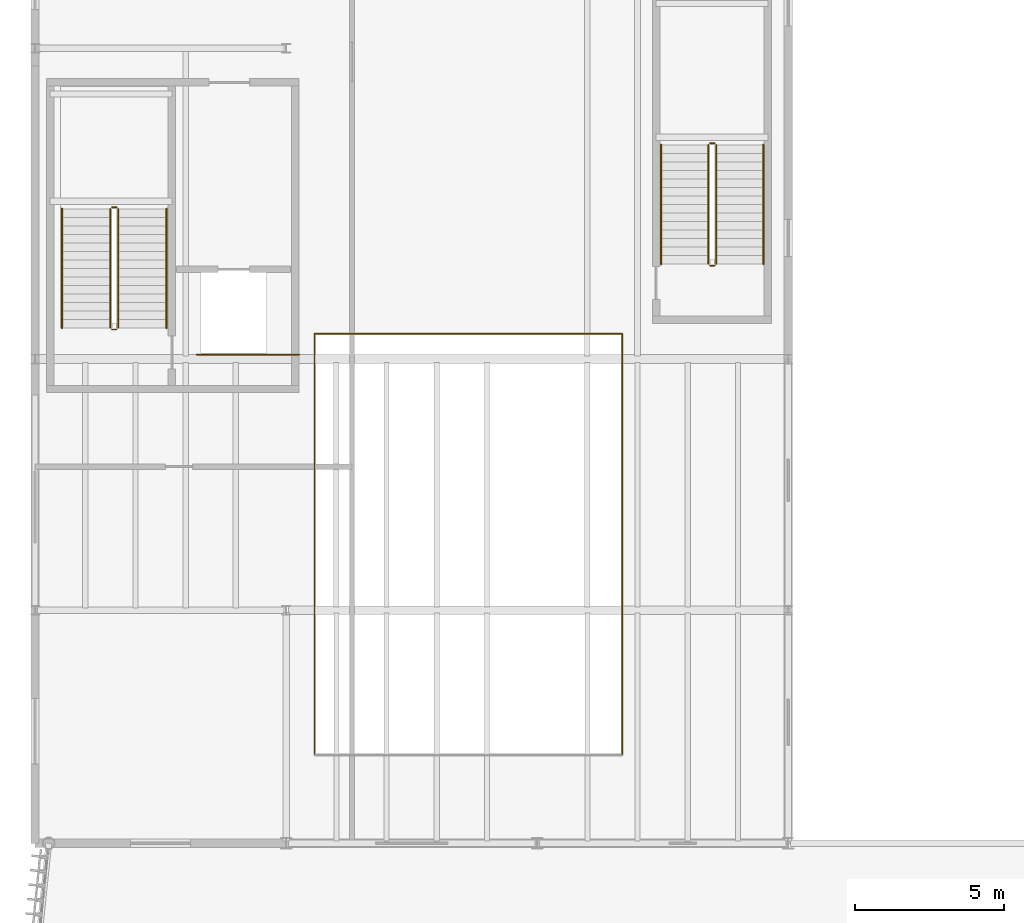
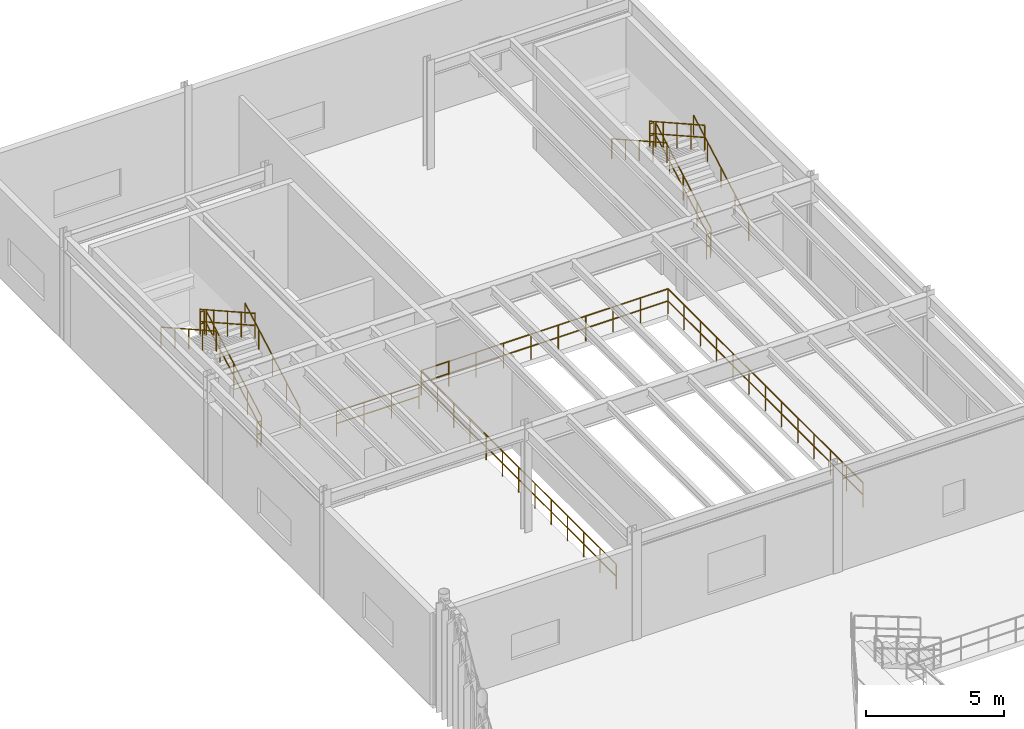
# One storey, part 103 of 105: 16 railings.
"""IFC4 building model written with IfcOpenShell, lengths in metres."""

from ifc_helpers import new_model, si_unit, direction, frame, origin, origin_2d, place, context, subcontext, project, spatial, circle, extrude, material, layer, layer_set, type_object, element, save


model = new_model("IFC4")

# Units and contexts
model_context = context("Model", 3, precision=1e-05, world=origin(), true_north=direction((0.0, 1.0)))
body_context = subcontext(model_context, "Body", "Model", "MODEL_VIEW")
ifc_project = project(units=[si_unit("LENGTHUNIT", "METRE"), si_unit("AREAUNIT", "SQUARE_METRE"), si_unit("VOLUMEUNIT", "CUBIC_METRE"), si_unit("PLANEANGLEUNIT", "RADIAN"), si_unit("MASSUNIT", "GRAM", prefix="KILO")], contexts=[model_context])

# Site, building, storey
site_placement = place(None, origin())
site = spatial("IfcSite", under=ifc_project, at=site_placement, CompositionType="ELEMENT")
building_placement = place(site_placement, origin())
building = spatial("IfcBuilding", under=site, at=building_placement, Name="Selat Folded Stagehouse", CompositionType="ELEMENT")
storey_placement = place(building_placement, frame((0.0, 0.0, 10.199951171875)))
storey = spatial("IfcBuildingStorey", under=building, at=storey_placement, Name="L02", CompositionType="ELEMENT", Elevation=10.199951171875)

# Railings
ifc_material_1 = material(Name="Bronze-anodised steel balustrade", Category="steel")
ifc_layer_1 = layer(ifc_material_1, 0.06494140625)
ifc_layer_set_1 = layer_set([ifc_layer_1], Name="Bronze-anodised steel balustrade")
railing_type_1 = type_object("IfcRailingType", Name="RLG-BAL-1120", PredefinedType="BALUSTRADE", material=ifc_layer_set_1)
railing_1_placement = place(storey_placement, frame((19.64990234375, 57.550048828125, 0.0)))
element("IfcRailing", 1, at=railing_1_placement, inside=storey, type_object=railing_type_1, Name="L02 protective guard railing 051", PredefinedType="BALUSTRADE", context=body_context, shape_type="SweptSolid", body=[
    extrude(circle(Radius=0.02392578125, at=origin_2d()), frame((0.0, 0.0, 1.09619140625), z_axis=(0.0, 1.0, 0.0), x_axis=(-1.0, 0.0, 0.0)), (0.0, 0.0, 1.0), 14.099853515625),
    extrude(circle(Radius=0.02392578125, at=origin_2d()), frame((0.0, 0.0, 0.56005859375), z_axis=(0.0, 1.0, 0.0), x_axis=(-1.0, 0.0, 0.0)), (0.0, 0.0, 1.0), 14.099853515625),
    extrude(circle(Radius=0.02099609375, at=origin_2d()), origin(), (0.0, 0.0, 1.0), 1.072021484375),
    extrude(circle(Radius=0.02099609375, at=origin_2d()), frame((0.0, 1.175048828125, 0.0)), (0.0, 0.0, 1.0), 1.072021484375),
    extrude(circle(Radius=0.02099609375, at=origin_2d()), frame((0.0, 2.35009765625, 0.0)), (0.0, 0.0, 1.0), 1.072021484375),
    extrude(circle(Radius=0.02099609375, at=origin_2d()), frame((0.0, 3.52490234375, 0.0)), (0.0, 0.0, 1.0), 1.072021484375),
    extrude(circle(Radius=0.02099609375, at=origin_2d()), frame((0.0, 4.699951171875, 0.0)), (0.0, 0.0, 1.0), 1.072021484375),
    extrude(circle(Radius=0.02099609375, at=origin_2d()), frame((0.0, 5.875, 0.0)), (0.0, 0.0, 1.0), 1.072021484375),
    extrude(circle(Radius=0.02099609375, at=origin_2d()), frame((0.0, 7.0498046875, 0.0)), (0.0, 0.0, 1.0), 1.072021484375),
    extrude(circle(Radius=0.02099609375, at=origin_2d()), frame((0.0, 8.224853515625, 0.0)), (0.0, 0.0, 1.0), 1.072021484375),
    extrude(circle(Radius=0.02099609375, at=origin_2d()), frame((0.0, 9.39990234375, 0.0)), (0.0, 0.0, 1.0), 1.072021484375),
    extrude(circle(Radius=0.02099609375, at=origin_2d()), frame((0.0, 10.574951171875, 0.0)), (0.0, 0.0, 1.0), 1.072021484375),
    extrude(circle(Radius=0.02099609375, at=origin_2d()), frame((0.0, 11.75, 0.0)), (0.0, 0.0, 1.0), 1.072021484375),
    extrude(circle(Radius=0.02099609375, at=origin_2d()), frame((0.0, 12.9248046875, 0.0)), (0.0, 0.0, 1.0), 1.072021484375),
    extrude(circle(Radius=0.02099609375, at=origin_2d()), frame((0.0, 14.099853515625, 0.0)), (0.0, 0.0, 1.0), 1.072021484375),
])
railing_2_placement = place(storey_placement, frame((19.64990234375, 71.64990234375, 0.0)))
element("IfcRailing", 2, at=railing_2_placement, inside=storey, type_object=railing_type_1, Name="L02 protective guard railing 052", PredefinedType="BALUSTRADE", context=body_context, shape_type="SweptSolid", body=[
    extrude(circle(Radius=0.02392578125, at=origin_2d()), frame((0.0, 0.0, 1.09619140625), z_axis=(-1.0, 0.0, 0.0), x_axis=(0.0, -1.0, 0.0)), (0.0, 0.0, 1.0), 10.2998046875),
    extrude(circle(Radius=0.02392578125, at=origin_2d()), frame((0.0, 0.0, 0.56005859375), z_axis=(-1.0, 0.0, 0.0), x_axis=(0.0, -1.0, 0.0)), (0.0, 0.0, 1.0), 10.2998046875),
    extrude(circle(Radius=0.02099609375, at=origin_2d()), origin(), (0.0, 0.0, 1.0), 1.072021484375),
    extrude(circle(Radius=0.02099609375, at=origin_2d()), frame((-1.14453125, 0.0, 0.0)), (0.0, 0.0, 1.0), 1.072021484375),
    extrude(circle(Radius=0.02099609375, at=origin_2d()), frame((-2.288818359375, 0.0, 0.0)), (0.0, 0.0, 1.0), 1.072021484375),
    extrude(circle(Radius=0.02099609375, at=origin_2d()), frame((-3.433349609375, 0.0, 0.0)), (0.0, 0.0, 1.0), 1.072021484375),
    extrude(circle(Radius=0.02099609375, at=origin_2d()), frame((-4.57763671875, 0.0, 0.0)), (0.0, 0.0, 1.0), 1.072021484375),
    extrude(circle(Radius=0.02099609375, at=origin_2d()), frame((-5.72216796875, 0.0, 0.0)), (0.0, 0.0, 1.0), 1.072021484375),
    extrude(circle(Radius=0.02099609375, at=origin_2d()), frame((-6.866455078125, 0.0, 0.0)), (0.0, 0.0, 1.0), 1.072021484375),
    extrude(circle(Radius=0.02099609375, at=origin_2d()), frame((-8.010986328125, 0.0, 0.0)), (0.0, 0.0, 1.0), 1.072021484375),
    extrude(circle(Radius=0.02099609375, at=origin_2d()), frame((-9.1552734375, 0.0, 0.0)), (0.0, 0.0, 1.0), 1.072021484375),
    extrude(circle(Radius=0.02099609375, at=origin_2d()), frame((-10.2998046875, 0.0, 0.0)), (0.0, 0.0, 1.0), 1.072021484375),
])
railing_3_placement = place(storey_placement, frame((9.35009765625, 71.64990234375, 0.0)))
element("IfcRailing", 3, at=railing_3_placement, inside=storey, type_object=railing_type_1, Name="L02 protective guard railing 053", PredefinedType="BALUSTRADE", context=body_context, shape_type="SweptSolid", body=[
    extrude(circle(Radius=0.02392578125, at=origin_2d()), frame((0.0, 0.0, 1.09619140625), z_axis=(0.0, -1.0, 0.0), x_axis=(1.0, 0.0, 0.0)), (0.0, 0.0, 1.0), 14.099853515625),
    extrude(circle(Radius=0.02392578125, at=origin_2d()), frame((0.0, 0.0, 0.56005859375), z_axis=(0.0, -1.0, 0.0), x_axis=(1.0, 0.0, 0.0)), (0.0, 0.0, 1.0), 14.099853515625),
    extrude(circle(Radius=0.02099609375, at=origin_2d()), origin(), (0.0, 0.0, 1.0), 1.072021484375),
    extrude(circle(Radius=0.02099609375, at=origin_2d()), frame((0.0, -1.175048828125, 0.0)), (0.0, 0.0, 1.0), 1.072021484375),
    extrude(circle(Radius=0.02099609375, at=origin_2d()), frame((0.0, -2.35009765625, 0.0)), (0.0, 0.0, 1.0), 1.072021484375),
    extrude(circle(Radius=0.02099609375, at=origin_2d()), frame((0.0, -3.52490234375, 0.0)), (0.0, 0.0, 1.0), 1.072021484375),
    extrude(circle(Radius=0.02099609375, at=origin_2d()), frame((0.0, -4.699951171875, 0.0)), (0.0, 0.0, 1.0), 1.072021484375),
    extrude(circle(Radius=0.02099609375, at=origin_2d()), frame((0.0, -5.875, 0.0)), (0.0, 0.0, 1.0), 1.072021484375),
    extrude(circle(Radius=0.02099609375, at=origin_2d()), frame((0.0, -7.0498046875, 0.0)), (0.0, 0.0, 1.0), 1.072021484375),
    extrude(circle(Radius=0.02099609375, at=origin_2d()), frame((0.0, -8.224853515625, 0.0)), (0.0, 0.0, 1.0), 1.072021484375),
    extrude(circle(Radius=0.02099609375, at=origin_2d()), frame((0.0, -9.39990234375, 0.0)), (0.0, 0.0, 1.0), 1.072021484375),
    extrude(circle(Radius=0.02099609375, at=origin_2d()), frame((0.0, -10.574951171875, 0.0)), (0.0, 0.0, 1.0), 1.072021484375),
    extrude(circle(Radius=0.02099609375, at=origin_2d()), frame((0.0, -11.75, 0.0)), (0.0, 0.0, 1.0), 1.072021484375),
    extrude(circle(Radius=0.02099609375, at=origin_2d()), frame((0.0, -12.9248046875, 0.0)), (0.0, 0.0, 1.0), 1.072021484375),
    extrude(circle(Radius=0.02099609375, at=origin_2d()), frame((0.0, -14.099853515625, 0.0)), (0.0, 0.0, 1.0), 1.072021484375),
])
railing_4_placement = place(storey_placement, frame((5.39990234375, 70.949951171875, 0.0)))
element("IfcRailing", 4, at=railing_4_placement, inside=storey, type_object=railing_type_1, Name="L02 CR-5 shaft rim guard", PredefinedType="BALUSTRADE", context=body_context, shape_type="SweptSolid", body=[
    extrude(circle(Radius=0.02392578125, at=origin_2d()), frame((0.0, 0.0, 1.09619140625), z_axis=(1.0, 0.0, 0.0), x_axis=(0.0, 1.0, 0.0)), (0.0, 0.0, 1.0), 3.4501953125),
    extrude(circle(Radius=0.02392578125, at=origin_2d()), frame((0.0, 0.0, 0.56005859375), z_axis=(1.0, 0.0, 0.0), x_axis=(0.0, 1.0, 0.0)), (0.0, 0.0, 1.0), 3.4501953125),
    extrude(circle(Radius=0.02099609375, at=origin_2d()), origin(), (0.0, 0.0, 1.0), 1.072021484375),
    extrude(circle(Radius=0.02099609375, at=origin_2d()), frame((1.150146484375, 0.0, 0.0)), (0.0, 0.0, 1.0), 1.072021484375),
    extrude(circle(Radius=0.02099609375, at=origin_2d()), frame((2.300048828125, 0.0, 0.0)), (0.0, 0.0, 1.0), 1.072021484375),
    extrude(circle(Radius=0.02099609375, at=origin_2d()), frame((3.4501953125, 0.0, 0.0)), (0.0, 0.0, 1.0), 1.072021484375),
])
railing_5_placement = place(storey_placement, frame((2.780029296875, 71.840087890625, 0.16015625)))
element("IfcRailing", 5, at=railing_5_placement, inside=storey, type_object=railing_type_1, Name="L02 ST-05 stair well guard 1", PredefinedType="BALUSTRADE", context=body_context, shape_type="SweptSolid", body=[
    extrude(circle(Radius=0.02392578125, at=origin_2d()), frame((0.0, 0.0, 1.09619140625), z_axis=(0.0, 0.871984184956, 0.489534044972), x_axis=(-1.0, 0.0, 0.0)), (0.0, 0.0, 1.0), 4.57568359375),
    extrude(circle(Radius=0.02392578125, at=origin_2d()), frame((0.0, 0.0, 0.56005859375), z_axis=(0.0, 0.871984184956, 0.489534044972), x_axis=(-1.0, 0.0, 0.0)), (0.0, 0.0, 1.0), 4.57568359375),
    extrude(circle(Radius=0.02099609375, at=origin_2d()), origin(), (0.0, 0.0, 1.0), 1.072021484375),
    extrude(circle(Radius=0.02099609375, at=origin_2d()), frame((0.0, 0.99755859375, 0.56005859375)), (0.0, 0.0, 1.0), 1.072021484375),
    extrude(circle(Radius=0.02099609375, at=origin_2d()), frame((0.0, 1.9951171875, 1.1201171875)), (0.0, 0.0, 1.0), 1.072021484375),
    extrude(circle(Radius=0.02099609375, at=origin_2d()), frame((0.0, 2.992431640625, 1.679931640625)), (0.0, 0.0, 1.0), 1.072021484375),
    extrude(circle(Radius=0.02099609375, at=origin_2d()), frame((0.0, 3.989990234375, 2.239990234375)), (0.0, 0.0, 1.0), 1.072021484375),
])
railing_6_placement = place(storey_placement, frame((2.72998046875, 75.8798828125, 2.400146484375)))
element("IfcRailing", 6, at=railing_6_placement, inside=storey, type_object=railing_type_1, Name="L02 ST-05 stair well guard 2", PredefinedType="BALUSTRADE", context=body_context, shape_type="SweptSolid", body=[
    extrude(circle(Radius=0.02392578125, at=origin_2d()), frame((0.0, 0.0, 1.09619140625), z_axis=(-1.0, 0.0, 0.0), x_axis=(0.0, -1.0, 0.0)), (0.0, 0.0, 1.0), 0.159912109375),
    extrude(circle(Radius=0.02392578125, at=origin_2d()), frame((0.0, 0.0, 0.56005859375), z_axis=(-1.0, 0.0, 0.0), x_axis=(0.0, -1.0, 0.0)), (0.0, 0.0, 1.0), 0.159912109375),
    extrude(circle(Radius=0.02099609375, at=origin_2d()), origin(), (0.0, 0.0, 1.0), 1.072021484375),
    extrude(circle(Radius=0.02099609375, at=origin_2d()), frame((-0.159912109375, 0.0, 0.0)), (0.0, 0.0, 1.0), 1.072021484375),
])
railing_7_placement = place(storey_placement, frame((2.52001953125, 75.830078125, 2.56005859375)))
element("IfcRailing", 7, at=railing_7_placement, inside=storey, type_object=railing_type_1, Name="L02 ST-05 stair well guard 3", PredefinedType="BALUSTRADE", context=body_context, shape_type="SweptSolid", body=[
    extrude(circle(Radius=0.02392578125, at=origin_2d()), frame((0.0, 0.0, 1.09619140625), z_axis=(0.0, -0.871984184956, 0.489534044972), x_axis=(1.0, 0.0, 0.0)), (0.0, 0.0, 1.0), 4.57568359375),
    extrude(circle(Radius=0.02392578125, at=origin_2d()), frame((0.0, 0.0, 0.56005859375), z_axis=(0.0, -0.871984184956, 0.489534044972), x_axis=(1.0, 0.0, 0.0)), (0.0, 0.0, 1.0), 4.57568359375),
    extrude(circle(Radius=0.02099609375, at=origin_2d()), origin(), (0.0, 0.0, 1.0), 1.072021484375),
    extrude(circle(Radius=0.02099609375, at=origin_2d()), frame((0.0, -0.99755859375, 0.56005859375)), (0.0, 0.0, 1.0), 1.072021484375),
    extrude(circle(Radius=0.02099609375, at=origin_2d()), frame((0.0, -1.9951171875, 1.1201171875)), (0.0, 0.0, 1.0), 1.072021484375),
    extrude(circle(Radius=0.02099609375, at=origin_2d()), frame((0.0, -2.992431640625, 1.679931640625)), (0.0, 0.0, 1.0), 1.072021484375),
    extrude(circle(Radius=0.02099609375, at=origin_2d()), frame((0.0, -3.989990234375, 2.239990234375)), (0.0, 0.0, 1.0), 1.072021484375),
])
railing_8_placement = place(storey_placement, frame((2.72998046875, 71.7900390625, 0.0)))
element("IfcRailing", 8, at=railing_8_placement, inside=storey, type_object=railing_type_1, Name="L02 ST-05 stair well guard 4", PredefinedType="BALUSTRADE", context=body_context, shape_type="SweptSolid", body=[
    extrude(circle(Radius=0.02392578125, at=origin_2d()), frame((0.0, 0.0, 1.09619140625), z_axis=(-1.0, 0.0, 0.0), x_axis=(0.0, -1.0, 0.0)), (0.0, 0.0, 1.0), 0.159912109375),
    extrude(circle(Radius=0.02392578125, at=origin_2d()), frame((0.0, 0.0, 0.56005859375), z_axis=(-1.0, 0.0, 0.0), x_axis=(0.0, -1.0, 0.0)), (0.0, 0.0, 1.0), 0.159912109375),
    extrude(circle(Radius=0.02099609375, at=origin_2d()), origin(), (0.0, 0.0, 1.0), 1.072021484375),
    extrude(circle(Radius=0.02099609375, at=origin_2d()), frame((-0.159912109375, 0.0, 0.0)), (0.0, 0.0, 1.0), 1.072021484375),
])
railing_9_placement = place(storey_placement, frame((22.7900390625, 73.97998046875, 0.16015625)))
element("IfcRailing", 9, at=railing_9_placement, inside=storey, type_object=railing_type_1, Name="L02 ST-07 stair well guard 1", PredefinedType="BALUSTRADE", context=body_context, shape_type="SweptSolid", body=[
    extrude(circle(Radius=0.02392578125, at=origin_2d()), frame((0.0, 0.0, 1.09619140625), z_axis=(0.0, 0.871984184956, 0.489534044972), x_axis=(-1.0, 0.0, 0.0)), (0.0, 0.0, 1.0), 4.57568359375),
    extrude(circle(Radius=0.02392578125, at=origin_2d()), frame((0.0, 0.0, 0.56005859375), z_axis=(0.0, 0.871984184956, 0.489534044972), x_axis=(-1.0, 0.0, 0.0)), (0.0, 0.0, 1.0), 4.57568359375),
    extrude(circle(Radius=0.02099609375, at=origin_2d()), origin(), (0.0, 0.0, 1.0), 1.072021484375),
    extrude(circle(Radius=0.02099609375, at=origin_2d()), frame((0.0, 0.99755859375, 0.56005859375)), (0.0, 0.0, 1.0), 1.072021484375),
    extrude(circle(Radius=0.02099609375, at=origin_2d()), frame((0.0, 1.9951171875, 1.1201171875)), (0.0, 0.0, 1.0), 1.072021484375),
    extrude(circle(Radius=0.02099609375, at=origin_2d()), frame((0.0, 2.992431640625, 1.679931640625)), (0.0, 0.0, 1.0), 1.072021484375),
    extrude(circle(Radius=0.02099609375, at=origin_2d()), frame((0.0, 3.989990234375, 2.239990234375)), (0.0, 0.0, 1.0), 1.072021484375),
])
railing_10_placement = place(storey_placement, frame((22.739990234375, 78.02001953125, 2.400146484375)))
element("IfcRailing", 10, at=railing_10_placement, inside=storey, type_object=railing_type_1, Name="L02 ST-07 stair well guard 2", PredefinedType="BALUSTRADE", context=body_context, shape_type="SweptSolid", body=[
    extrude(circle(Radius=0.02392578125, at=origin_2d()), frame((0.0, 0.0, 1.09619140625), z_axis=(-1.0, 0.0, 0.0), x_axis=(0.0, -1.0, 0.0)), (0.0, 0.0, 1.0), 0.159912109375),
    extrude(circle(Radius=0.02392578125, at=origin_2d()), frame((0.0, 0.0, 0.56005859375), z_axis=(-1.0, 0.0, 0.0), x_axis=(0.0, -1.0, 0.0)), (0.0, 0.0, 1.0), 0.159912109375),
    extrude(circle(Radius=0.02099609375, at=origin_2d()), origin(), (0.0, 0.0, 1.0), 1.072021484375),
    extrude(circle(Radius=0.02099609375, at=origin_2d()), frame((-0.159912109375, 0.0, 0.0)), (0.0, 0.0, 1.0), 1.072021484375),
])
railing_11_placement = place(storey_placement, frame((22.530029296875, 77.969970703125, 2.56005859375)))
element("IfcRailing", 11, at=railing_11_placement, inside=storey, type_object=railing_type_1, Name="L02 ST-07 stair well guard 3", PredefinedType="BALUSTRADE", context=body_context, shape_type="SweptSolid", body=[
    extrude(circle(Radius=0.02392578125, at=origin_2d()), frame((0.0, 0.0, 1.09619140625), z_axis=(0.0, -0.871984184956, 0.489534044972), x_axis=(1.0, 0.0, 0.0)), (0.0, 0.0, 1.0), 4.57568359375),
    extrude(circle(Radius=0.02392578125, at=origin_2d()), frame((0.0, 0.0, 0.56005859375), z_axis=(0.0, -0.871984184956, 0.489534044972), x_axis=(1.0, 0.0, 0.0)), (0.0, 0.0, 1.0), 4.57568359375),
    extrude(circle(Radius=0.02099609375, at=origin_2d()), origin(), (0.0, 0.0, 1.0), 1.072021484375),
    extrude(circle(Radius=0.02099609375, at=origin_2d()), frame((0.0, -0.99755859375, 0.56005859375)), (0.0, 0.0, 1.0), 1.072021484375),
    extrude(circle(Radius=0.02099609375, at=origin_2d()), frame((0.0, -1.9951171875, 1.1201171875)), (0.0, 0.0, 1.0), 1.072021484375),
    extrude(circle(Radius=0.02099609375, at=origin_2d()), frame((0.0, -2.992431640625, 1.679931640625)), (0.0, 0.0, 1.0), 1.072021484375),
    extrude(circle(Radius=0.02099609375, at=origin_2d()), frame((0.0, -3.989990234375, 2.239990234375)), (0.0, 0.0, 1.0), 1.072021484375),
])
railing_12_placement = place(storey_placement, frame((22.739990234375, 73.929931640625, 0.0)))
element("IfcRailing", 12, at=railing_12_placement, inside=storey, type_object=railing_type_1, Name="L02 ST-07 stair well guard 4", PredefinedType="BALUSTRADE", context=body_context, shape_type="SweptSolid", body=[
    extrude(circle(Radius=0.02392578125, at=origin_2d()), frame((0.0, 0.0, 1.09619140625), z_axis=(-1.0, 0.0, 0.0), x_axis=(0.0, -1.0, 0.0)), (0.0, 0.0, 1.0), 0.159912109375),
    extrude(circle(Radius=0.02392578125, at=origin_2d()), frame((0.0, 0.0, 0.56005859375), z_axis=(-1.0, 0.0, 0.0), x_axis=(0.0, -1.0, 0.0)), (0.0, 0.0, 1.0), 0.159912109375),
    extrude(circle(Radius=0.02099609375, at=origin_2d()), origin(), (0.0, 0.0, 1.0), 1.072021484375),
    extrude(circle(Radius=0.02099609375, at=origin_2d()), frame((-0.159912109375, 0.0, 0.0)), (0.0, 0.0, 1.0), 1.072021484375),
])
ifc_material_2 = material(Name="Brushed stainless steel 1.4301", Category="steel")
ifc_layer_2 = layer(ifc_material_2, 0.048095703125)
ifc_layer_set_2 = layer_set([ifc_layer_2], Name="Brushed stainless steel 1.4301")
railing_type_2 = type_object("IfcRailingType", Name="RLG-HANDRAIL-900", PredefinedType="HANDRAIL", material=ifc_layer_set_2)
railing_13_placement = place(storey_placement, frame((4.39990234375, 71.840087890625, 0.16015625)))
element("IfcRailing", 13, at=railing_13_placement, inside=storey, type_object=railing_type_2, Name="L02 ST-05 wall handrail 1", PredefinedType="HANDRAIL", context=body_context, shape_type="SweptSolid", body=[
    extrude(circle(Radius=0.02392578125, at=origin_2d()), frame((0.0, 0.0, 0.8759765625), z_axis=(0.0, 0.871984184956, 0.489534044972), x_axis=(-1.0, 0.0, 0.0)), (0.0, 0.0, 1.0), 4.57568359375),
    extrude(circle(Radius=0.02099609375, at=origin_2d()), origin(), (0.0, 0.0, 1.0), 0.851806640625),
    extrude(circle(Radius=0.02099609375, at=origin_2d()), frame((0.0, 0.99755859375, 0.56005859375)), (0.0, 0.0, 1.0), 0.851806640625),
    extrude(circle(Radius=0.02099609375, at=origin_2d()), frame((0.0, 1.9951171875, 1.1201171875)), (0.0, 0.0, 1.0), 0.851806640625),
    extrude(circle(Radius=0.02099609375, at=origin_2d()), frame((0.0, 2.992431640625, 1.679931640625)), (0.0, 0.0, 1.0), 0.851806640625),
    extrude(circle(Radius=0.02099609375, at=origin_2d()), frame((0.0, 3.989990234375, 2.239990234375)), (0.0, 0.0, 1.0), 0.851806640625),
])
railing_14_placement = place(storey_placement, frame((0.89990234375, 75.830078125, 2.56005859375)))
element("IfcRailing", 14, at=railing_14_placement, inside=storey, type_object=railing_type_2, Name="L02 ST-05 wall handrail 2", PredefinedType="HANDRAIL", context=body_context, shape_type="SweptSolid", body=[
    extrude(circle(Radius=0.02392578125, at=origin_2d()), frame((0.0, 0.0, 0.8759765625), z_axis=(0.0, -0.871984184956, 0.489534044972), x_axis=(1.0, 0.0, 0.0)), (0.0, 0.0, 1.0), 4.57568359375),
    extrude(circle(Radius=0.02099609375, at=origin_2d()), origin(), (0.0, 0.0, 1.0), 0.851806640625),
    extrude(circle(Radius=0.02099609375, at=origin_2d()), frame((0.0, -0.99755859375, 0.56005859375)), (0.0, 0.0, 1.0), 0.851806640625),
    extrude(circle(Radius=0.02099609375, at=origin_2d()), frame((0.0, -1.9951171875, 1.1201171875)), (0.0, 0.0, 1.0), 0.851806640625),
    extrude(circle(Radius=0.02099609375, at=origin_2d()), frame((0.0, -2.992431640625, 1.679931640625)), (0.0, 0.0, 1.0), 0.851806640625),
    extrude(circle(Radius=0.02099609375, at=origin_2d()), frame((0.0, -3.989990234375, 2.239990234375)), (0.0, 0.0, 1.0), 0.851806640625),
])
railing_15_placement = place(storey_placement, frame((24.3701171875, 73.97998046875, 0.16015625)))
element("IfcRailing", 15, at=railing_15_placement, inside=storey, type_object=railing_type_2, Name="L02 ST-07 wall handrail 1", PredefinedType="HANDRAIL", context=body_context, shape_type="SweptSolid", body=[
    extrude(circle(Radius=0.02392578125, at=origin_2d()), frame((0.0, 0.0, 0.8759765625), z_axis=(0.0, 0.871984184956, 0.489534044972), x_axis=(-1.0, 0.0, 0.0)), (0.0, 0.0, 1.0), 4.57568359375),
    extrude(circle(Radius=0.02099609375, at=origin_2d()), origin(), (0.0, 0.0, 1.0), 0.851806640625),
    extrude(circle(Radius=0.02099609375, at=origin_2d()), frame((0.0, 0.99755859375, 0.56005859375)), (0.0, 0.0, 1.0), 0.851806640625),
    extrude(circle(Radius=0.02099609375, at=origin_2d()), frame((0.0, 1.9951171875, 1.1201171875)), (0.0, 0.0, 1.0), 0.851806640625),
    extrude(circle(Radius=0.02099609375, at=origin_2d()), frame((0.0, 2.992431640625, 1.679931640625)), (0.0, 0.0, 1.0), 0.851806640625),
    extrude(circle(Radius=0.02099609375, at=origin_2d()), frame((0.0, 3.989990234375, 2.239990234375)), (0.0, 0.0, 1.0), 0.851806640625),
])
railing_16_placement = place(storey_placement, frame((20.949951171875, 77.969970703125, 2.56005859375)))
element("IfcRailing", 16, at=railing_16_placement, inside=storey, type_object=railing_type_2, Name="L02 ST-07 wall handrail 2", PredefinedType="HANDRAIL", context=body_context, shape_type="SweptSolid", body=[
    extrude(circle(Radius=0.02392578125, at=origin_2d()), frame((0.0, 0.0, 0.8759765625), z_axis=(0.0, -0.871984184956, 0.489534044972), x_axis=(1.0, 0.0, 0.0)), (0.0, 0.0, 1.0), 4.57568359375),
    extrude(circle(Radius=0.02099609375, at=origin_2d()), origin(), (0.0, 0.0, 1.0), 0.851806640625),
    extrude(circle(Radius=0.02099609375, at=origin_2d()), frame((0.0, -0.99755859375, 0.56005859375)), (0.0, 0.0, 1.0), 0.851806640625),
    extrude(circle(Radius=0.02099609375, at=origin_2d()), frame((0.0, -1.9951171875, 1.1201171875)), (0.0, 0.0, 1.0), 0.851806640625),
    extrude(circle(Radius=0.02099609375, at=origin_2d()), frame((0.0, -2.992431640625, 1.679931640625)), (0.0, 0.0, 1.0), 0.851806640625),
    extrude(circle(Radius=0.02099609375, at=origin_2d()), frame((0.0, -3.989990234375, 2.239990234375)), (0.0, 0.0, 1.0), 0.851806640625),
])

save(model, "model.ifc")
